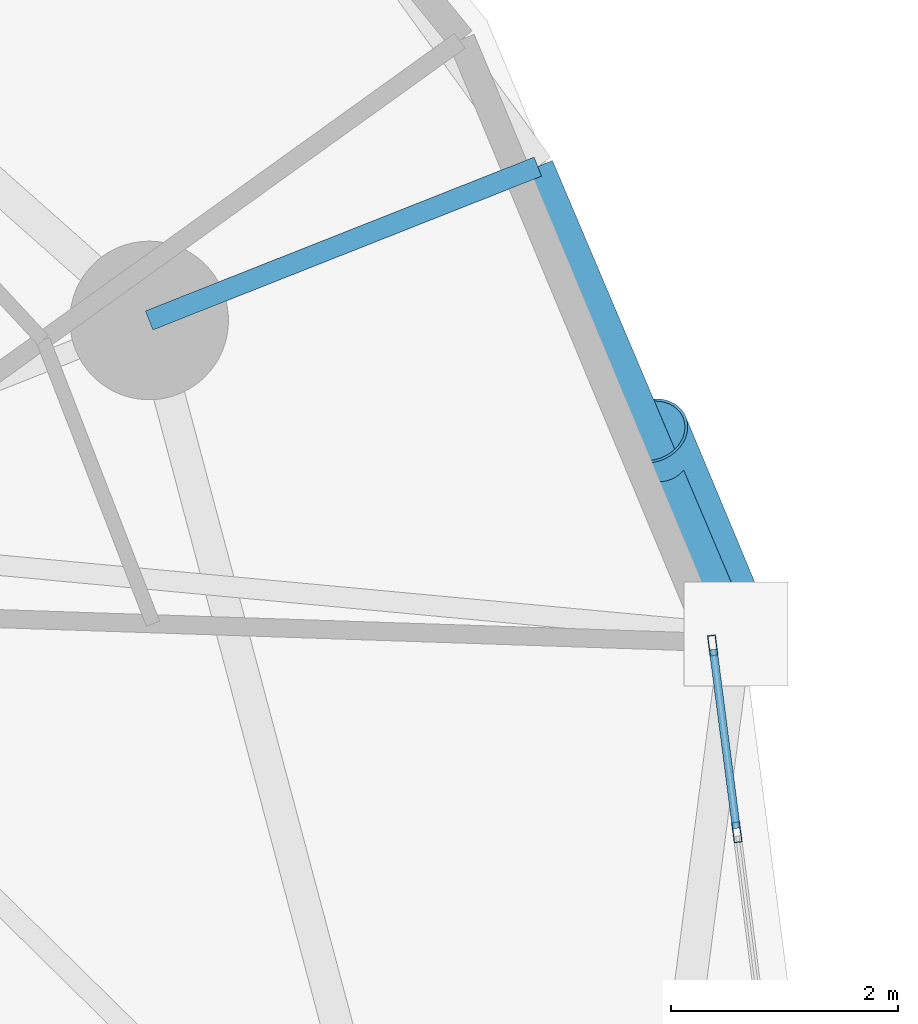
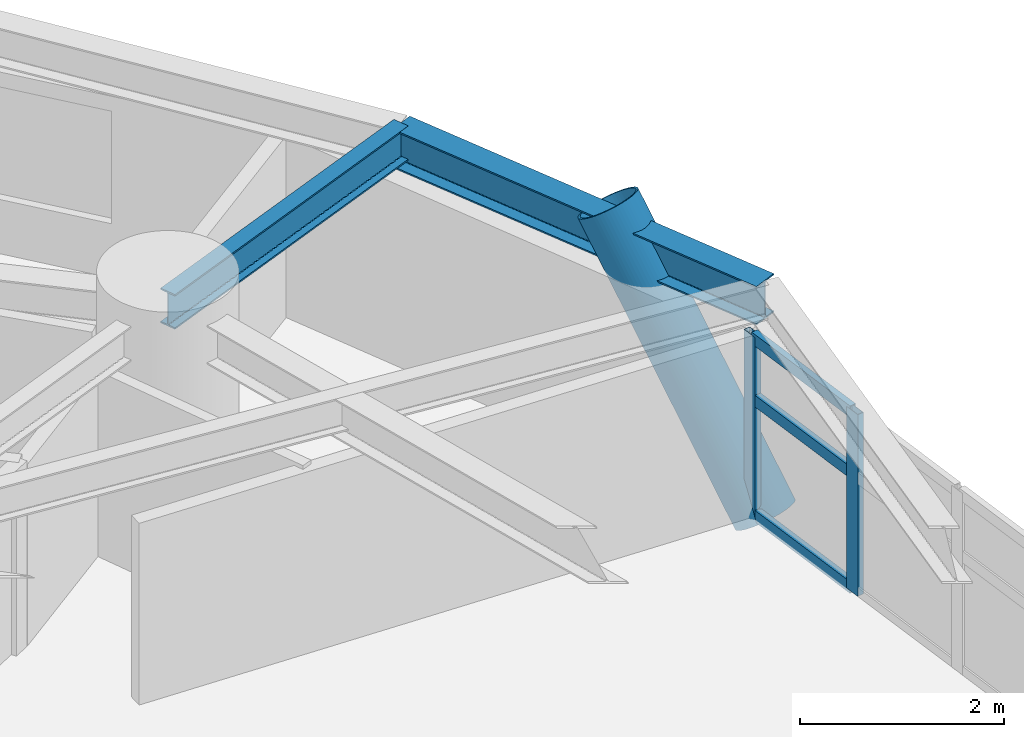
# One storey, part 4 of 18: 6 members, 2 beams, 1 element without a shape of its own.
"""IFC4 building model written with IfcOpenShell, lengths in metres."""

from ifc_helpers import new_model, si_unit, direction, frame, origin, origin_2d, place, context, subcontext, project, spatial, hollow_rectangle, hollow_circle, i_section, extrude, material, layer, layer_set, material_profile, profile_set, type_object, element, aggregate, save


model = new_model("IFC4")

# Units and contexts
model_context = context("Model", 3, precision=1e-05, world=origin(), true_north=direction((0.0, 1.0)))
body_context = subcontext(model_context, "Body", "Model", "MODEL_VIEW")
ifc_project = project(units=[si_unit("LENGTHUNIT", "METRE"), si_unit("AREAUNIT", "SQUARE_METRE"), si_unit("VOLUMEUNIT", "CUBIC_METRE"), si_unit("PLANEANGLEUNIT", "RADIAN"), si_unit("MASSUNIT", "GRAM", prefix="KILO")], contexts=[model_context])

# Site, building, storey
site_placement = place(None, origin())
site = spatial("IfcSite", under=ifc_project, at=site_placement, CompositionType="ELEMENT")
building_placement = place(site_placement, origin())
building = spatial("IfcBuilding", under=site, at=building_placement, Name="Cununo Teusaquillo Station Towers", CompositionType="ELEMENT")
storey_placement = place(building_placement, frame((0.0, 0.0, 110.889892578125)))
storey = spatial("IfcBuildingStorey", under=building, at=storey_placement, Name="L35", CompositionType="ELEMENT", Elevation=110.889892578125)

# Beams
ifc_material_1 = material(Name="Steel ASTM A572 Grade 50", Category="steel")
ifc_material_profile_1 = material_profile(ifc_material_1, i_section(OverallWidth=0.180908203125, OverallDepth=0.4169921875, WebThickness=0.010986328125, FlangeThickness=0.018310546875, FilletRadius=0.012939453125, at=origin_2d()), Name="W16X57")
ifc_profile_set_1 = profile_set([ifc_material_profile_1], Name="Steel ASTM A572 Grade 50")
beam_type_1 = type_object("IfcBeamType", Name="BM-RAD-G2", PredefinedType="BEAM", material=ifc_profile_set_1)
beam_1_placement = place(storey_placement, frame((26.347412109375, 33.228515625, 2.461669921875), z_axis=(0.929861788731, 0.367909029323, 0.0), x_axis=(-0.367909029323, 0.929861788731, 0.0)))
element("IfcBeam", 1, at=beam_1_placement, inside=storey, type_object=beam_type_1, Name="L35 Tower A Perimeter Overhang Girder 02B", PredefinedType="BEAM", context=body_context, shape_type="SweptSolid", body=[
    extrude(i_section(OverallWidth=0.180908203125, OverallDepth=0.4169921875, WebThickness=0.010986328125, FlangeThickness=0.018310546875, FilletRadius=0.012939453125, at=origin_2d()), origin(), (0.0, 0.0, 1.0), 3.690185546875),
])
ifc_material_2 = material(Name="Steel ASTM A572 Grade 50", Category="steel")
ifc_material_profile_2 = material_profile(ifc_material_2, i_section(OverallWidth=0.280029296875, OverallDepth=0.462890625, WebThickness=0.0107421875, FlangeThickness=0.017333984375, FilletRadius=0.013916015625, at=origin_2d()), Name="W18X76")
ifc_profile_set_2 = profile_set([ifc_material_profile_2], Name="Steel ASTM A572 Grade 50")
beam_type_2 = type_object("IfcBeamType", Name="BM-RING-Z2", PredefinedType="SPANDREL", material=ifc_profile_set_2)
beam_2_placement = place(storey_placement, frame((31.527587890625, 30.4609375, 2.438720703125), z_axis=(-0.390299356049, 0.920688010494, 0.0), x_axis=(-0.920688010494, -0.390299356049, 0.0)))
element("IfcBeam", 2, at=beam_2_placement, inside=storey, type_object=beam_type_2, Name="L35 Tower A Spandrel Ring Beam 02", PredefinedType="SPANDREL", context=body_context, shape_type="SweptSolid", body=[
    extrude(i_section(OverallWidth=0.280029296875, OverallDepth=0.462890625, WebThickness=0.0107421875, FlangeThickness=0.017333984375, FilletRadius=0.013916015625, at=origin_2d()), origin(), (0.0, 0.0, 1.0), 4.480712890625),
])

# Curtain wall, members
ifc_material_3 = material(Name="Ceramic-fritted dark low-E double glazing", Category="glass")
ifc_layer = layer(ifc_material_3, 0.179931640625)
ifc_layer_set = layer_set([ifc_layer], Name="Ceramic-fritted dark low-E double glazing")
curtain_wall_type = type_object("IfcCurtainWallType", Name="CW-SYS-04", PredefinedType="USERDEFINED", material=ifc_layer_set)
curtain_wall_placement = place(storey_placement, origin())
curtain_wall = element("IfcCurtainWall", 3, at=curtain_wall_placement, inside=storey, type_object=curtain_wall_type, Name="L35 Tower A Facade Curtain Wall C00", ObjectType="FRITTED GLAZING", PredefinedType="USERDEFINED")
ifc_material_4 = material(Name="Anodised dark bronze aluminium EN AW-6063-T6", Category="aluminium")
ifc_material_profile_3 = material_profile(ifc_material_4, hollow_rectangle(XDim=0.070068359375, YDim=0.179931640625, WallThickness=0.00390625, at=origin_2d()), Name="CW-MULL-70x180")
ifc_profile_set_3 = profile_set([ifc_material_profile_3], Name="Anodised dark bronze aluminium EN AW-6063-T6")
member_type_1 = type_object("IfcMemberType", Name="CWM-180", PredefinedType="MULLION", material=ifc_profile_set_3)
member_1_placement = place(storey_placement, frame((31.322998046875, 30.3583984375, 0.0), z_axis=(0.0, 0.0, 1.0), x_axis=(0.991730764367, 0.128335852387, 0.0)))
member_1 = element("IfcMember", 4, at=member_1_placement, type_object=member_type_1, Name="CW-04 mullion 1", PredefinedType="MULLION", context=body_context, shape_type="SweptSolid", body=[
    extrude(hollow_rectangle(XDim=0.070068359375, YDim=0.179931640625, WallThickness=0.00390625, at=origin_2d()), origin(), (0.0, 0.0, 1.0), 2.17919921875),
])
member_2_placement = place(storey_placement, frame((31.5361328125, 28.709716796875, 0.0), z_axis=(0.0, 0.0, 1.0), x_axis=(0.991730764367, 0.128335852387, 0.0)))
member_2 = element("IfcMember", 5, at=member_2_placement, type_object=member_type_1, Name="CW-04 mullion 2", PredefinedType="MULLION", context=body_context, shape_type="SweptSolid", body=[
    extrude(hollow_rectangle(XDim=0.070068359375, YDim=0.179931640625, WallThickness=0.00390625, at=origin_2d()), origin(), (0.0, 0.0, 1.0), 2.17919921875),
])
ifc_material_5 = material(Name="Anodised dark bronze aluminium EN AW-6063-T6", Category="aluminium")
ifc_material_profile_4 = material_profile(ifc_material_5, hollow_rectangle(XDim=0.070068359375, YDim=0.139892578125, WallThickness=0.00390625, at=origin_2d()), Name="CW-TRAN-70x140")
ifc_profile_set_4 = profile_set([ifc_material_profile_4], Name="Anodised dark bronze aluminium EN AW-6063-T6")
member_type_2 = type_object("IfcMemberType", Name="CWT-140", PredefinedType="USERDEFINED", material=ifc_profile_set_4)
member_3_placement = place(storey_placement, frame((31.327392578125, 30.323486328125, 0.03515625), z_axis=(0.128336210724, -0.991730717996, 0.0), x_axis=(0.991730717996, 0.128336210724, 0.0)))
member_3 = element("IfcMember", 6, at=member_3_placement, type_object=member_type_2, Name="CW-04 transom 1.1", ObjectType="TRANSOM", PredefinedType="USERDEFINED", context=body_context, shape_type="SweptSolid", body=[
    extrude(hollow_rectangle(XDim=0.070068359375, YDim=0.139892578125, WallThickness=0.00390625, at=origin_2d()), origin(), (0.0, 0.0, 1.0), 1.59228515625),
])
member_4_placement = place(storey_placement, frame((31.327392578125, 30.323486328125, 1.416015625), z_axis=(0.128336210724, -0.991730717996, 0.0), x_axis=(0.991730717996, 0.128336210724, 0.0)))
member_4 = element("IfcMember", 7, at=member_4_placement, type_object=member_type_2, Name="CW-04 transom 1.2", ObjectType="TRANSOM", PredefinedType="USERDEFINED", context=body_context, shape_type="SweptSolid", body=[
    extrude(hollow_rectangle(XDim=0.070068359375, YDim=0.139892578125, WallThickness=0.00390625, at=origin_2d()), origin(), (0.0, 0.0, 1.0), 1.59228515625),
])
member_5_placement = place(storey_placement, frame((31.327392578125, 30.323486328125, 2.14404296875), z_axis=(0.128336210724, -0.991730717996, 0.0), x_axis=(0.991730717996, 0.128336210724, 0.0)))
member_5 = element("IfcMember", 8, at=member_5_placement, type_object=member_type_2, Name="CW-04 transom 1.3", ObjectType="TRANSOM", PredefinedType="USERDEFINED", context=body_context, shape_type="SweptSolid", body=[
    extrude(hollow_rectangle(XDim=0.070068359375, YDim=0.139892578125, WallThickness=0.00390625, at=origin_2d()), origin(), (0.0, 0.0, 1.0), 1.59228515625),
])
aggregate(curtain_wall, [member_1, member_2, member_3, member_4, member_5])

# Member
ifc_material_6 = material(Name="Steel EN 10025-2 S355J2", Category="steel")
ifc_material_profile_5 = material_profile(ifc_material_6, hollow_circle(Radius=0.330078125, WallThickness=0.02490234375, at=origin_2d()), Name="CHS 660x25")
ifc_profile_set_5 = profile_set([ifc_material_profile_5], Name="Steel EN 10025-2 S355J2")
member_type_3 = type_object("IfcMemberType", Name="MBR-DIAG-Z2", PredefinedType="BRACE", material=ifc_profile_set_5)
member_6_placement = place(storey_placement, frame((31.527587890625, 30.4609375, -0.139892578125), z_axis=(-0.213813667787, 0.512343325357, 0.831737958993), x_axis=(-0.922861086318, -0.385132983993, 0.0)))
element("IfcMember", 9, at=member_6_placement, inside=storey, type_object=member_type_3, Name="L35 Tower A Folded-Zigzag Diagrid Tube C01", PredefinedType="BRACE", context=body_context, shape_type="SweptSolid", body=[
    extrude(hollow_circle(Radius=0.330078125, WallThickness=0.02490234375, at=origin_2d()), origin(), (0.0, 0.0, 1.0), 3.49853515625),
])

save(model, "model.ifc")
